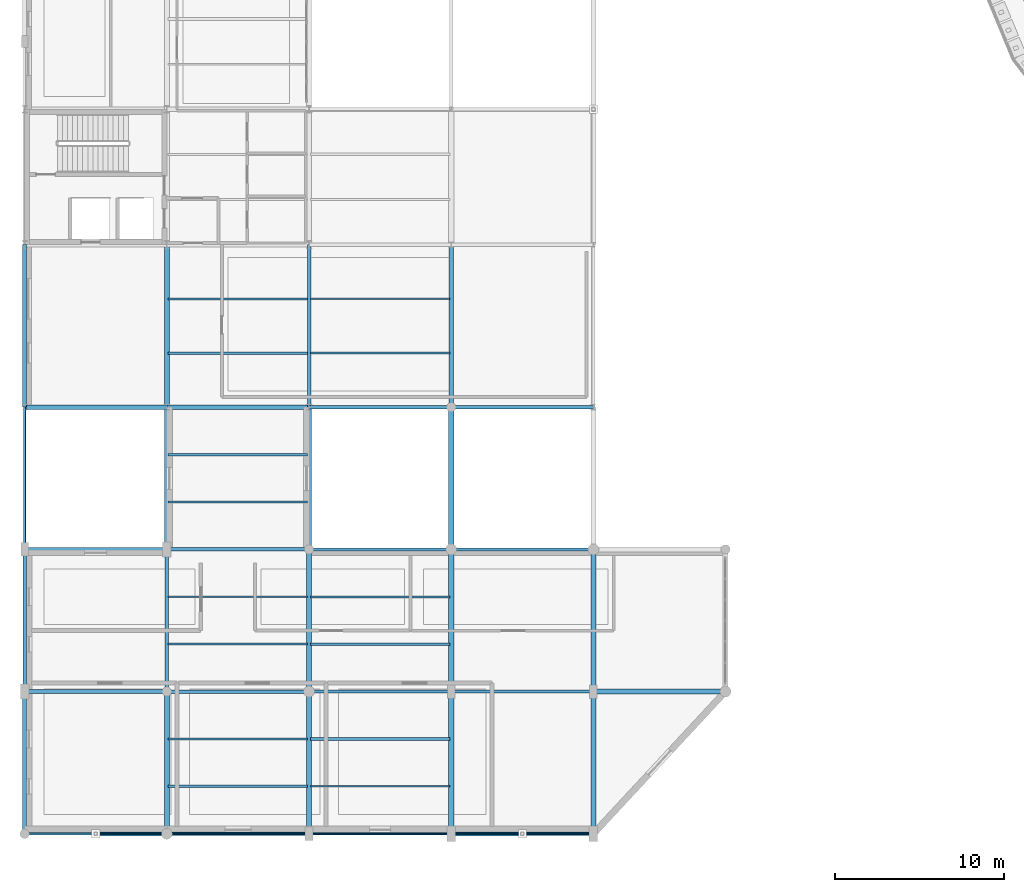
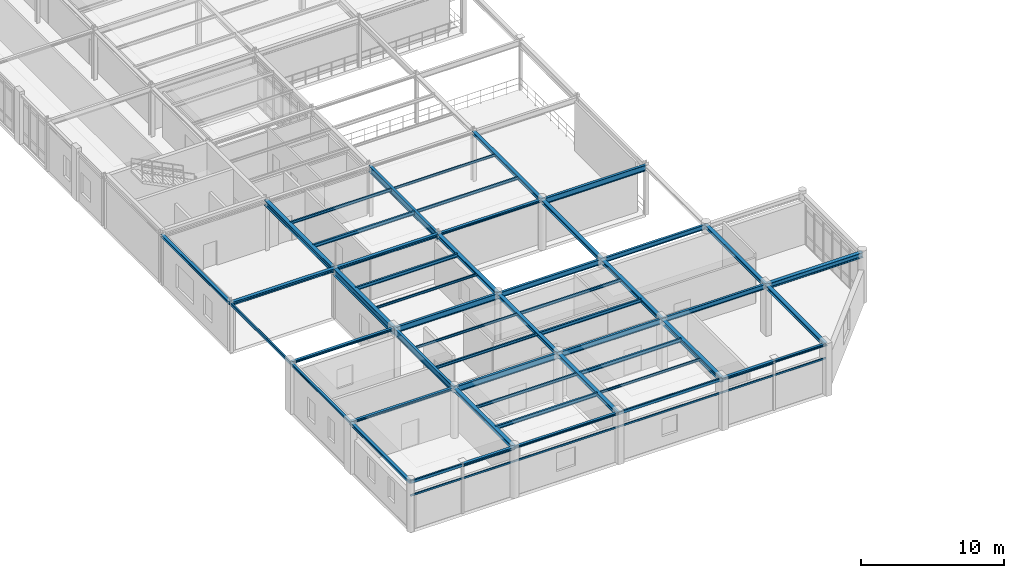
# One storey, part 26 of 106: 55 beams.
"""IFC4 building model written with IfcOpenShell, lengths in metres."""

import ifcopenshell
import ifcopenshell.guid

model = None  # the IFC model being written
_history = None  # IfcOwnerHistory: only IFC2X3 demands one
_inside = {}  # id of a spatial element -> (the spatial element, [elements in it])
_under = {}  # id of a project, library or spatial element -> (it, [spatial elements below it])
_declared = {}  # id of a project -> (the project, [libraries it declares])
_typed = {}  # id of a type object -> (the type object, [elements of that type])
_made_of = {}  # id of a material, layer set ... -> (it, [elements and type objects made of it])


def new_model(schema):
    """Start an empty IFC model of exactly this schema.

    Asked for "IFC4X3", IfcOpenShell would pick the latest addendum, in which some entities
    have other attributes; the version numbers below select the first issue.
    IFC2X3 requires an IfcOwnerHistory on every rooted entity: one is made here for all.
    """
    global model, _history
    if schema == "IFC4X3":
        model = ifcopenshell.file(schema_version=(4, 3, 0, 0))
    else:
        model = ifcopenshell.file(schema=schema)
    _inside.clear()
    _under.clear()
    _declared.clear()
    _typed.clear()
    _made_of.clear()
    _history = None
    if model.schema == "IFC2X3":
        org = make("IfcOrganization", Name="unknown")
        user = make(
            "IfcPersonAndOrganization",
            ThePerson=make("IfcPerson", FamilyName="unknown"),
            TheOrganization=org,
        )
        app = make(
            "IfcApplication",
            ApplicationDeveloper=org,
            Version="unknown",
            ApplicationFullName="unknown",
            ApplicationIdentifier="unknown",
        )
        _history = make(
            "IfcOwnerHistory",
            OwningUser=user,
            OwningApplication=app,
            ChangeAction="ADDED",
            CreationDate=0,
        )
    return model


def make(cls, **values):
    """One entity of the class cls with the attributes given. An attribute that is None is left unset."""
    return model.create_entity(
        cls, **{name: value for name, value in values.items() if value is not None}
    )


def rooted(cls, **values):
    """An entity with a GlobalId (a new one), such as an element, a storey or a relation."""
    return make(cls, GlobalId=ifcopenshell.guid.new(), OwnerHistory=_history, **values)


def si_unit(unit_type, name, prefix=None):
    """IfcSIUnit, for example si_unit("LENGTHUNIT", "METRE", prefix="MILLI")."""
    return make("IfcSIUnit", UnitType=unit_type, Prefix=prefix, Name=name)


def derived_unit(unit_type, elements):
    """IfcDerivedUnit: a product of units, each with its exponent."""
    return make(
        "IfcDerivedUnit",
        Elements=[
            make("IfcDerivedUnitElement", Unit=unit, Exponent=power)
            for unit, power in elements
        ],
        UnitType=unit_type,
    )


def assignment(units):
    """IfcUnitAssignment: the units of a project."""
    return None if units is None else make("IfcUnitAssignment", Units=units)


def point(xyz):
    """IfcCartesianPoint."""
    return None if xyz is None else make("IfcCartesianPoint", Coordinates=xyz)


def direction(xyz):
    """IfcDirection."""
    return None if xyz is None else make("IfcDirection", DirectionRatios=xyz)


def frame(location, z_axis=None, x_axis=None):
    """IfcAxis2Placement3D, a coordinate frame: its origin and axes. An axis left out is left unset."""
    return make(
        "IfcAxis2Placement3D",
        Location=point(location),
        Axis=direction(z_axis),
        RefDirection=direction(x_axis),
    )


def frame_2d(location, x_axis=None):
    """IfcAxis2Placement2D, a coordinate frame in the plane: its origin and x axis."""
    return make(
        "IfcAxis2Placement2D", Location=point(location), RefDirection=direction(x_axis)
    )


def origin():
    """The frame at (0, 0, 0) with its axes left unset."""
    return frame((0.0, 0.0, 0.0))


def origin_2d():
    """The frame at (0, 0) in the plane with its x axis left unset."""
    return frame_2d((0.0, 0.0))


def place(relative_to, where):
    """IfcLocalPlacement: puts the frame where relative to a parent placement (None: the world)."""
    return make(
        "IfcLocalPlacement", PlacementRelTo=relative_to, RelativePlacement=where
    )


def context(
    kind, dimensions, precision=None, world=None, true_north=None, identifier=None
):
    """IfcGeometricRepresentationContext, for example the 3D "Model" context."""
    return make(
        "IfcGeometricRepresentationContext",
        ContextIdentifier=identifier,
        ContextType=kind,
        CoordinateSpaceDimension=dimensions,
        Precision=precision,
        WorldCoordinateSystem=world,
        TrueNorth=true_north,
    )


def subcontext(parent, identifier, kind, view, scale=None):
    """IfcGeometricRepresentationSubContext, for example "Body" below "Model"."""
    return make(
        "IfcGeometricRepresentationSubContext",
        ContextIdentifier=identifier,
        ContextType=kind,
        ParentContext=parent,
        TargetScale=scale,
        TargetView=view,
    )


def project(units=None, contexts=None):
    """IfcProject with its units and contexts."""
    return rooted(
        "IfcProject",
        Name="project",
        RepresentationContexts=contexts,
        UnitsInContext=assignment(units),
    )


def spatial(cls, under=None, at=None, **own):
    """A site, building, storey or space (cls), placed at a placement, below another one or the project."""
    s = rooted(cls, ObjectPlacement=at, **own)
    if under is not None:
        _under.setdefault(under.id(), (under, []))[1].append(s)
    return s


def profile(cls, at=None, kind="AREA", **sizes):
    """A parametric profile (cls). Its sizes go by their IFC names, for example OverallWidth=200.0."""
    return make(cls, ProfileType=kind, Position=at, **sizes)


def hollow_rectangle(**sizes):
    """IfcRectangleHollowProfileDef."""
    return profile("IfcRectangleHollowProfileDef", **sizes)


def i_section(**sizes):
    """IfcIShapeProfileDef."""
    return profile("IfcIShapeProfileDef", **sizes)


def extrude(swept, where, along, depth):
    """IfcExtrudedAreaSolid: the profile swept, set in the frame where, extruded along a direction by depth."""
    return make(
        "IfcExtrudedAreaSolid",
        SweptArea=swept,
        Position=where,
        ExtrudedDirection=direction(along),
        Depth=depth,
    )


def shape(context_of_items, identifier, shape_type, items):
    """IfcShapeRepresentation: the items that make up one representation, for example the "Body"."""
    return make(
        "IfcShapeRepresentation",
        ContextOfItems=context_of_items,
        RepresentationIdentifier=identifier,
        RepresentationType=shape_type,
        Items=items,
    )


def material(Name=None, Category=None):
    """IfcMaterial."""
    return make("IfcMaterial", Name=Name, Category=Category)


def material_profile(
    of_material, cross_section, Name=None, Category=None, Priority=None
):
    """IfcMaterialProfile: a cross section and its material."""
    return make(
        "IfcMaterialProfile",
        Name=Name,
        Material=of_material,
        Profile=cross_section,
        Priority=Priority,
        Category=Category,
    )


def profile_set(profiles, Name=None, composite=None):
    """IfcMaterialProfileSet."""
    return make(
        "IfcMaterialProfileSet",
        Name=Name,
        MaterialProfiles=profiles,
        CompositeProfile=composite,
    )


def made_of(thing, what):
    """Note that an element or type object is made of a material, layer set ...; save() writes the relation."""
    if what is not None:
        _made_of.setdefault(what.id(), (what, []))[1].append(thing)
    return thing


def type_object(cls, material=None, **own):
    """A type object (cls), such as IfcWallType, which elements share."""
    return made_of(rooted(cls, **own), material)


def element(
    cls,
    number,
    at=None,
    inside=None,
    cuts=None,
    type_object=None,
    material=None,
    context=None,
    identifier="Body",
    shape_type=None,
    held_by="IfcProductDefinitionShape",
    body=None,
    shapes=None,
    **own,
):
    """One element of the class cls, such as IfcWall. Its Tag is "e" and its number.

    at: its placement. inside: the storey or other place that contains it. cuts: it is an
    opening in that element (IfcRelVoidsElement). A single representation is given by context,
    identifier, shape_type and body (its items); several are given by shapes. held_by: the class
    of the entity that holds the representations. save() writes the other relations.
    """
    e = rooted(cls, Tag="e%d" % number, ObjectPlacement=at, **own)
    if body is not None:
        shapes = [shape(context, identifier, shape_type, body)]
    if shapes is not None:
        e.Representation = make(held_by, Representations=shapes)
    if inside is not None:
        _inside.setdefault(inside.id(), (inside, []))[1].append(e)
    if cuts is not None:
        rooted(
            "IfcRelVoidsElement", RelatingBuildingElement=cuts, RelatedOpeningElement=e
        )
    if type_object is not None:
        _typed.setdefault(type_object.id(), (type_object, []))[1].append(e)
    return made_of(e, material)


def aggregate(whole, parts):
    """IfcRelAggregates: a whole, such as a stair, and the parts it consists of."""
    return rooted("IfcRelAggregates", RelatingObject=whole, RelatedObjects=parts)


def save(model, path):
    """Write the relations noted so far, then the file.

    IfcRelAggregates (storeys below a building ...), IfcRelContainedInSpatialStructure (elements
    in a storey), IfcRelDefinesByType, IfcRelAssociatesMaterial and IfcRelDeclares: one each for
    every whole, place, type object, material and project.
    """
    for whole, parts in _under.values():
        aggregate(whole, parts)
    for where, things in _inside.values():
        rooted(
            "IfcRelContainedInSpatialStructure",
            RelatedElements=things,
            RelatingStructure=where,
        )
    for kind, things in _typed.values():
        rooted("IfcRelDefinesByType", RelatedObjects=things, RelatingType=kind)
    for what, things in _made_of.values():
        rooted("IfcRelAssociatesMaterial", RelatedObjects=things, RelatingMaterial=what)
    for by, libraries in _declared.values():
        rooted("IfcRelDeclares", RelatingContext=by, RelatedDefinitions=libraries)
    model.write(path)


model = new_model("IFC4")

# Units and contexts
model_context = context("Model", 3, precision=1e-05, world=origin(), true_north=direction((0.0, 1.0)))
body_context = subcontext(model_context, "Body", "Model", "MODEL_VIEW")
ifc_project = project(units=[si_unit("LENGTHUNIT", "METRE"), si_unit("AREAUNIT", "SQUARE_METRE"), si_unit("VOLUMEUNIT", "CUBIC_METRE"), si_unit("PLANEANGLEUNIT", "RADIAN"), si_unit("MASSUNIT", "GRAM", prefix="KILO"), derived_unit("THERMALTRANSMITTANCEUNIT", [(si_unit("POWERUNIT", "WATT"), 1), (si_unit("AREAUNIT", "SQUARE_METRE"), -1), (si_unit("THERMODYNAMICTEMPERATUREUNIT", "KELVIN"), -1)])], contexts=[model_context])

# Site, building, storey
site_placement = place(None, origin())
site = spatial("IfcSite", under=ifc_project, at=site_placement, CompositionType="ELEMENT")
building_placement = place(site_placement, origin())
building = spatial("IfcBuilding", under=site, at=building_placement, Name="Yasenodar Specialist Clinic", CompositionType="ELEMENT")
storey_placement = place(building_placement, frame((0.0, 0.0, 4.5)))
storey = spatial("IfcBuildingStorey", under=building, at=storey_placement, Name="L01", CompositionType="ELEMENT", Elevation=4.5)

# Beams
ifc_material = material(Name="Steel S355", Category="steel")
ifc_material_profile_1 = material_profile(ifc_material, i_section(OverallWidth=0.219970703125, OverallDepth=0.2099609375, WebThickness=0.007080078125, FlangeThickness=0.010986328125, FilletRadius=0.01806640625, at=origin_2d()), Name="HEA 220")
ifc_profile_set_1 = profile_set([ifc_material_profile_1], Name="Steel S355")
beam_type_1 = type_object("IfcBeamType", Name="BM-HEA220", PredefinedType="BEAM", material=ifc_profile_set_1)
for number, where, z_axis, x_axis, name in (
    (1, (0.0, 8.39990234375, 4.14501953125), (1.0, 0.0, 0.0), (0.0, 1.0, 0.0), "L01 Primary E-W Girder"),
    (2, (0.0, 16.800048828125, 4.14501953125), (1.0, 0.0, 0.0), (0.0, 1.0, 0.0), "L01 Primary E-W Girder"),
    (3, (16.800048828125, 25.199951171875, 4.14501953125), (1.0, 0.0, 0.0), (0.0, 1.0, 0.0), "L01 Primary E-W Girder"),
):
    element("IfcBeam", number, at=place(storey_placement, frame(where, z_axis=z_axis, x_axis=x_axis)), inside=storey, type_object=beam_type_1, Name=name, PredefinedType="BEAM", context=body_context, shape_type="SweptSolid", body=[
        extrude(i_section(OverallWidth=0.219970703125, OverallDepth=0.2099609375, WebThickness=0.007080078125, FlangeThickness=0.010986328125, FilletRadius=0.01806640625, at=origin_2d()), origin(), (0.0, 0.0, 1.0), 8.39990234375),
    ])
ifc_material_profile_2 = material_profile(ifc_material, i_section(OverallWidth=0.260009765625, OverallDepth=0.25, WebThickness=0.007568359375, FlangeThickness=0.012451171875, FilletRadius=0.02392578125, at=origin_2d()), Name="HEA 260")
ifc_profile_set_2 = profile_set([ifc_material_profile_2], Name="Steel S355")
beam_type_2 = type_object("IfcBeamType", Name="BM-HEA260", PredefinedType="BEAM", material=ifc_profile_set_2)
beam_1_placement = place(storey_placement, frame((8.39990234375, 25.199951171875, 4.125), z_axis=(1.0, 0.0, 0.0), x_axis=(0.0, 1.0, 0.0)))
element("IfcBeam", 4, at=beam_1_placement, inside=storey, type_object=beam_type_2, Name="L01 Primary E-W Girder", PredefinedType="BEAM", context=body_context, shape_type="SweptSolid", body=[
    extrude(i_section(OverallWidth=0.260009765625, OverallDepth=0.25, WebThickness=0.007568359375, FlangeThickness=0.012451171875, FilletRadius=0.02392578125, at=origin_2d()), origin(), (0.0, 0.0, 1.0), 8.400146484375),
])
ifc_material_profile_3 = material_profile(ifc_material, i_section(OverallWidth=0.280029296875, OverallDepth=0.27001953125, WebThickness=0.008056640625, FlangeThickness=0.012939453125, FilletRadius=0.02392578125, at=origin_2d()), Name="HEA 280")
ifc_profile_set_3 = profile_set([ifc_material_profile_3], Name="Steel S355")
beam_type_3 = type_object("IfcBeamType", Name="BM-HEA280", PredefinedType="BEAM", material=ifc_profile_set_3)
beam_2_placement = place(storey_placement, frame((0.0, 25.199951171875, 4.114990234375), z_axis=(1.0, 0.0, 0.0), x_axis=(0.0, 1.0, 0.0)))
element("IfcBeam", 5, at=beam_2_placement, inside=storey, type_object=beam_type_3, Name="L01 Primary E-W Girder", PredefinedType="BEAM", context=body_context, shape_type="SweptSolid", body=[
    extrude(i_section(OverallWidth=0.280029296875, OverallDepth=0.27001953125, WebThickness=0.008056640625, FlangeThickness=0.012939453125, FilletRadius=0.02392578125, at=origin_2d()), origin(), (0.0, 0.0, 1.0), 8.39990234375),
])
ifc_material_profile_4 = material_profile(ifc_material, i_section(OverallWidth=0.300048828125, OverallDepth=0.2900390625, WebThickness=0.008544921875, FlangeThickness=0.013916015625, FilletRadius=0.027099609375, at=origin_2d()), Name="HEA 300")
ifc_profile_set_4 = profile_set([ifc_material_profile_4], Name="Steel S355")
beam_type_4 = type_object("IfcBeamType", Name="BM-HEA300", PredefinedType="BEAM", material=ifc_profile_set_4)
for number, where, z_axis, x_axis, name in (
    (6, (8.39990234375, 0.0, 4.10498046875), (0.0, 1.0, 0.0), (-1.0, 0.0, 0.0), "L01 Primary N-S Girder"),
    (7, (16.800048828125, 16.800048828125, 4.10498046875), (0.0, 1.0, 0.0), (-1.0, 0.0, 0.0), "L01 Primary N-S Girder"),
):
    element("IfcBeam", number, at=place(storey_placement, frame(where, z_axis=z_axis, x_axis=x_axis)), inside=storey, type_object=beam_type_4, Name=name, PredefinedType="BEAM", context=body_context, shape_type="SweptSolid", body=[
        extrude(i_section(OverallWidth=0.300048828125, OverallDepth=0.2900390625, WebThickness=0.008544921875, FlangeThickness=0.013916015625, FilletRadius=0.027099609375, at=origin_2d()), origin(), (0.0, 0.0, 1.0), 8.39990234375),
    ])
ifc_material_profile_5 = material_profile(ifc_material, i_section(OverallWidth=0.300048828125, OverallDepth=0.43994140625, WebThickness=0.011474609375, FlangeThickness=0.02099609375, FilletRadius=0.027099609375, at=origin_2d()), Name="HEA 450")
ifc_profile_set_5 = profile_set([ifc_material_profile_5], Name="Steel S355")
beam_type_5 = type_object("IfcBeamType", Name="BM-HEA450", PredefinedType="BEAM", material=ifc_profile_set_5)
beam_3_placement = place(storey_placement, frame((33.60009765625, 8.39990234375, 4.030029296875), z_axis=(1.0, 0.0, 0.0), x_axis=(0.0, 1.0, 0.0)))
element("IfcBeam", 8, at=beam_3_placement, inside=storey, type_object=beam_type_5, Name="L01 Primary E-W Girder", PredefinedType="BEAM", context=body_context, shape_type="SweptSolid", body=[
    extrude(i_section(OverallWidth=0.300048828125, OverallDepth=0.43994140625, WebThickness=0.011474609375, FlangeThickness=0.02099609375, FilletRadius=0.027099609375, at=origin_2d()), origin(), (0.0, 0.0, 1.0), 7.7998046875),
])
ifc_material_profile_6 = material_profile(ifc_material, i_section(OverallWidth=0.280029296875, OverallDepth=0.280029296875, WebThickness=0.010498046875, FlangeThickness=0.01806640625, FilletRadius=0.02392578125, at=origin_2d()), Name="HEB 280")
ifc_profile_set_6 = profile_set([ifc_material_profile_6], Name="Steel S355")
beam_type_6 = type_object("IfcBeamType", Name="BM-HEB280", PredefinedType="BEAM", material=ifc_profile_set_6)
beam_4_placement = place(storey_placement, frame((16.800048828125, 8.39990234375, 4.110107421875), z_axis=(0.0, 1.0, 0.0), x_axis=(-1.0, 0.0, 0.0)))
element("IfcBeam", 9, at=beam_4_placement, inside=storey, type_object=beam_type_6, Name="L01 Primary N-S Girder", PredefinedType="BEAM", context=body_context, shape_type="SweptSolid", body=[
    extrude(i_section(OverallWidth=0.280029296875, OverallDepth=0.280029296875, WebThickness=0.010498046875, FlangeThickness=0.01806640625, FilletRadius=0.02392578125, at=origin_2d()), origin(), (0.0, 0.0, 1.0), 8.400146484375),
])
beam_5_placement = place(storey_placement, frame((25.199951171875, 25.199951171875, 4.110107421875), z_axis=(0.0, 1.0, 0.0), x_axis=(-1.0, 0.0, 0.0)))
element("IfcBeam", 10, at=beam_5_placement, inside=storey, type_object=beam_type_6, Name="L01 Primary N-S Girder", PredefinedType="BEAM", context=body_context, shape_type="SweptSolid", body=[
    extrude(i_section(OverallWidth=0.280029296875, OverallDepth=0.280029296875, WebThickness=0.010498046875, FlangeThickness=0.01806640625, FilletRadius=0.02392578125, at=origin_2d()), origin(), (0.0, 0.0, 1.0), 9.60009765625),
])
beam_6_placement = place(storey_placement, frame((33.60009765625, 8.39990234375, 4.110107421875), z_axis=(0.0, 1.0, 0.0), x_axis=(-1.0, 0.0, 0.0)))
element("IfcBeam", 11, at=beam_6_placement, inside=storey, type_object=beam_type_6, Name="L01 Primary N-S Girder", PredefinedType="BEAM", context=body_context, shape_type="SweptSolid", body=[
    extrude(i_section(OverallWidth=0.280029296875, OverallDepth=0.280029296875, WebThickness=0.010498046875, FlangeThickness=0.01806640625, FilletRadius=0.02392578125, at=origin_2d()), origin(), (0.0, 0.0, 1.0), 8.400146484375),
])
ifc_material_profile_7 = material_profile(ifc_material, i_section(OverallWidth=0.300048828125, OverallDepth=0.300048828125, WebThickness=0.010986328125, FlangeThickness=0.01904296875, FilletRadius=0.027099609375, at=origin_2d()), Name="HEB 300")
ifc_profile_set_7 = profile_set([ifc_material_profile_7], Name="Steel S355")
beam_type_7 = type_object("IfcBeamType", Name="BM-HEB300", PredefinedType="BEAM", material=ifc_profile_set_7)
for number, where, z_axis, x_axis, name in (
    (12, (16.800048828125, 0.0, 4.10009765625), (0.0, 1.0, 0.0), (-1.0, 0.0, 0.0), "L01 Primary N-S Girder"),
    (13, (25.199951171875, 16.800048828125, 4.10009765625), (0.0, 1.0, 0.0), (-1.0, 0.0, 0.0), "L01 Primary N-S Girder"),
    (14, (33.60009765625, 0.0, 4.10009765625), (0.0, 1.0, 0.0), (-1.0, 0.0, 0.0), "L01 Primary N-S Girder"),
):
    element("IfcBeam", number, at=place(storey_placement, frame(where, z_axis=z_axis, x_axis=x_axis)), inside=storey, type_object=beam_type_7, Name=name, PredefinedType="BEAM", context=body_context, shape_type="SweptSolid", body=[
        extrude(i_section(OverallWidth=0.300048828125, OverallDepth=0.300048828125, WebThickness=0.010986328125, FlangeThickness=0.01904296875, FilletRadius=0.027099609375, at=origin_2d()), origin(), (0.0, 0.0, 1.0), 8.39990234375),
    ])
ifc_material_profile_8 = material_profile(ifc_material, i_section(OverallWidth=0.300048828125, OverallDepth=0.340087890625, WebThickness=0.011962890625, FlangeThickness=0.021484375, FilletRadius=0.027099609375, at=origin_2d()), Name="HEB 340")
ifc_profile_set_8 = profile_set([ifc_material_profile_8], Name="Steel S355")
beam_type_8 = type_object("IfcBeamType", Name="BM-HEB340", PredefinedType="BEAM", material=ifc_profile_set_8)
beam_7_placement = place(storey_placement, frame((25.199951171875, 8.39990234375, 4.080078125), z_axis=(0.0, 1.0, 0.0), x_axis=(-1.0, 0.0, 0.0)))
element("IfcBeam", 15, at=beam_7_placement, inside=storey, type_object=beam_type_8, Name="L01 Primary N-S Girder", PredefinedType="BEAM", context=body_context, shape_type="SweptSolid", body=[
    extrude(i_section(OverallWidth=0.300048828125, OverallDepth=0.340087890625, WebThickness=0.011962890625, FlangeThickness=0.021484375, FilletRadius=0.027099609375, at=origin_2d()), origin(), (0.0, 0.0, 1.0), 8.400146484375),
])
ifc_material_profile_9 = material_profile(ifc_material, i_section(OverallWidth=0.300048828125, OverallDepth=0.39990234375, WebThickness=0.013427734375, FlangeThickness=0.02392578125, FilletRadius=0.027099609375, at=origin_2d()), Name="HEB 400")
ifc_profile_set_9 = profile_set([ifc_material_profile_9], Name="Steel S355")
beam_type_9 = type_object("IfcBeamType", Name="BM-HEB400", PredefinedType="BEAM", material=ifc_profile_set_9)
beam_8_placement = place(storey_placement, frame((25.199951171875, 0.0, 4.050048828125), z_axis=(0.0, 1.0, 0.0), x_axis=(-1.0, 0.0, 0.0)))
element("IfcBeam", 16, at=beam_8_placement, inside=storey, type_object=beam_type_9, Name="L01 Primary N-S Girder", PredefinedType="BEAM", context=body_context, shape_type="SweptSolid", body=[
    extrude(i_section(OverallWidth=0.300048828125, OverallDepth=0.39990234375, WebThickness=0.013427734375, FlangeThickness=0.02392578125, FilletRadius=0.027099609375, at=origin_2d()), origin(), (0.0, 0.0, 1.0), 8.39990234375),
])
ifc_material_profile_10 = material_profile(ifc_material, i_section(OverallWidth=0.300048828125, OverallDepth=0.449951171875, WebThickness=0.013916015625, FlangeThickness=0.02587890625, FilletRadius=0.027099609375, at=origin_2d()), Name="HEB 450")
ifc_profile_set_10 = profile_set([ifc_material_profile_10], Name="Steel S355")
beam_type_10 = type_object("IfcBeamType", Name="BM-HEB450", PredefinedType="BEAM", material=ifc_profile_set_10)
beam_9_placement = place(storey_placement, frame((8.39990234375, 25.199951171875, 4.02490234375), z_axis=(0.0, 1.0, 0.0), x_axis=(-1.0, 0.0, 0.0)))
element("IfcBeam", 17, at=beam_9_placement, inside=storey, type_object=beam_type_10, Name="L01 Primary N-S Girder", PredefinedType="BEAM", context=body_context, shape_type="SweptSolid", body=[
    extrude(i_section(OverallWidth=0.300048828125, OverallDepth=0.449951171875, WebThickness=0.013916015625, FlangeThickness=0.02587890625, FilletRadius=0.027099609375, at=origin_2d()), origin(), (0.0, 0.0, 1.0), 9.60009765625),
])
ifc_material_profile_11 = material_profile(ifc_material, i_section(OverallWidth=0.300048828125, OverallDepth=0.60009765625, WebThickness=0.015380859375, FlangeThickness=0.030029296875, FilletRadius=0.027099609375, at=origin_2d()), Name="HEB 600")
ifc_profile_set_11 = profile_set([ifc_material_profile_11], Name="Steel S355")
beam_type_11 = type_object("IfcBeamType", Name="BM-HEB600", PredefinedType="BEAM", material=ifc_profile_set_11)
beam_10_placement = place(storey_placement, frame((8.39990234375, 16.800048828125, 3.949951171875), z_axis=(0.0, 1.0, 0.0), x_axis=(-1.0, 0.0, 0.0)))
element("IfcBeam", 18, at=beam_10_placement, inside=storey, type_object=beam_type_11, Name="L01 Primary N-S Girder", PredefinedType="BEAM", context=body_context, shape_type="SweptSolid", body=[
    extrude(i_section(OverallWidth=0.300048828125, OverallDepth=0.60009765625, WebThickness=0.015380859375, FlangeThickness=0.030029296875, FilletRadius=0.027099609375, at=origin_2d()), origin(), (0.0, 0.0, 1.0), 8.39990234375),
])
ifc_material_profile_12 = material_profile(ifc_material, i_section(OverallWidth=0.179931640625, OverallDepth=0.39990234375, WebThickness=0.008544921875, FlangeThickness=0.013427734375, FilletRadius=0.02099609375, at=origin_2d()), Name="IPE 400")
ifc_profile_set_12 = profile_set([ifc_material_profile_12], Name="Steel S355")
beam_type_12 = type_object("IfcBeamType", Name="BM-IPE400", PredefinedType="BEAM", material=ifc_profile_set_12)
for number, where, z_axis, x_axis, name in (
    (19, (25.199951171875, 8.39990234375, 4.050048828125), (1.0, 0.0, 0.0), (0.0, 1.0, 0.0), "L01 Primary E-W Girder"),
    (20, (25.199951171875, 16.800048828125, 4.050048828125), (1.0, 0.0, 0.0), (0.0, 1.0, 0.0), "L01 Primary E-W Girder"),
):
    element("IfcBeam", number, at=place(storey_placement, frame(where, z_axis=z_axis, x_axis=x_axis)), inside=storey, type_object=beam_type_12, Name=name, PredefinedType="BEAM", context=body_context, shape_type="SweptSolid", body=[
        extrude(i_section(OverallWidth=0.179931640625, OverallDepth=0.39990234375, WebThickness=0.008544921875, FlangeThickness=0.013427734375, FilletRadius=0.02099609375, at=origin_2d()), origin(), (0.0, 0.0, 1.0), 8.400146484375),
    ])
ifc_material_profile_13 = material_profile(ifc_material, i_section(OverallWidth=0.18994140625, OverallDepth=0.449951171875, WebThickness=0.009521484375, FlangeThickness=0.0146484375, FilletRadius=0.02099609375, at=origin_2d()), Name="IPE 450")
ifc_profile_set_13 = profile_set([ifc_material_profile_13], Name="Steel S355")
beam_type_13 = type_object("IfcBeamType", Name="BM-IPE450", PredefinedType="BEAM", material=ifc_profile_set_13)
for number, where, z_axis, x_axis, name in (
    (21, (16.800048828125, 8.39990234375, 4.02490234375), (1.0, 0.0, 0.0), (0.0, 1.0, 0.0), "L01 Primary E-W Girder"),
    (22, (16.800048828125, 16.800048828125, 4.02490234375), (1.0, 0.0, 0.0), (0.0, 1.0, 0.0), "L01 Primary E-W Girder"),
):
    element("IfcBeam", number, at=place(storey_placement, frame(where, z_axis=z_axis, x_axis=x_axis)), inside=storey, type_object=beam_type_13, Name=name, PredefinedType="BEAM", context=body_context, shape_type="SweptSolid", body=[
        extrude(i_section(OverallWidth=0.18994140625, OverallDepth=0.449951171875, WebThickness=0.009521484375, FlangeThickness=0.0146484375, FilletRadius=0.02099609375, at=origin_2d()), origin(), (0.0, 0.0, 1.0), 8.39990234375),
    ])
ifc_material_profile_14 = material_profile(ifc_material, i_section(OverallWidth=0.199951171875, OverallDepth=0.5, WebThickness=0.01025390625, FlangeThickness=0.01611328125, FilletRadius=0.02099609375, at=origin_2d()), Name="IPE 500")
ifc_profile_set_14 = profile_set([ifc_material_profile_14], Name="Steel S355")
beam_type_14 = type_object("IfcBeamType", Name="BM-IPE500", PredefinedType="BEAM", material=ifc_profile_set_14)
for number, where, z_axis, x_axis, name in (
    (23, (8.39990234375, 8.39990234375, 4.0), (1.0, 0.0, 0.0), (0.0, 1.0, 0.0), "L01 Primary E-W Girder"),
    (24, (8.39990234375, 16.800048828125, 4.0), (1.0, 0.0, 0.0), (0.0, 1.0, 0.0), "L01 Primary E-W Girder"),
    (25, (25.199951171875, 25.199951171875, 4.0), (1.0, 0.0, 0.0), (0.0, 1.0, 0.0), "L01 Primary E-W Girder"),
):
    element("IfcBeam", number, at=place(storey_placement, frame(where, z_axis=z_axis, x_axis=x_axis)), inside=storey, type_object=beam_type_14, Name=name, PredefinedType="BEAM", context=body_context, shape_type="SweptSolid", body=[
        extrude(i_section(OverallWidth=0.199951171875, OverallDepth=0.5, WebThickness=0.01025390625, FlangeThickness=0.01611328125, FilletRadius=0.02099609375, at=origin_2d()), origin(), (0.0, 0.0, 1.0), 8.400146484375),
    ])
ifc_material_profile_15 = material_profile(ifc_material, i_section(OverallWidth=0.2099609375, OverallDepth=0.550048828125, WebThickness=0.010986328125, FlangeThickness=0.01708984375, FilletRadius=0.02392578125, at=origin_2d()), Name="IPE 550")
ifc_profile_set_15 = profile_set([ifc_material_profile_15], Name="Steel S355")
beam_type_15 = type_object("IfcBeamType", Name="BM-IPE550", PredefinedType="BEAM", material=ifc_profile_set_15)
beam_11_placement = place(storey_placement, frame((8.39990234375, 8.39990234375, 3.97509765625), z_axis=(0.0, 1.0, 0.0), x_axis=(-1.0, 0.0, 0.0)))
element("IfcBeam", 26, at=beam_11_placement, inside=storey, type_object=beam_type_15, Name="L01 Primary N-S Girder", PredefinedType="BEAM", context=body_context, shape_type="SweptSolid", body=[
    extrude(i_section(OverallWidth=0.2099609375, OverallDepth=0.550048828125, WebThickness=0.010986328125, FlangeThickness=0.01708984375, FilletRadius=0.02392578125, at=origin_2d()), origin(), (0.0, 0.0, 1.0), 8.400146484375),
])
beam_12_placement = place(storey_placement, frame((16.800048828125, 25.199951171875, 3.97509765625), z_axis=(0.0, 1.0, 0.0), x_axis=(-1.0, 0.0, 0.0)))
element("IfcBeam", 27, at=beam_12_placement, inside=storey, type_object=beam_type_15, Name="L01 Primary N-S Girder", PredefinedType="BEAM", context=body_context, shape_type="SweptSolid", body=[
    extrude(i_section(OverallWidth=0.2099609375, OverallDepth=0.550048828125, WebThickness=0.010986328125, FlangeThickness=0.01708984375, FilletRadius=0.02392578125, at=origin_2d()), origin(), (0.0, 0.0, 1.0), 9.60009765625),
])
ifc_material_profile_16 = material_profile(ifc_material, i_section(OverallWidth=0.10009765625, OverallDepth=0.199951171875, WebThickness=0.005615234375, FlangeThickness=0.008544921875, FilletRadius=0.011962890625, at=origin_2d()), Name="IPE 200")
ifc_profile_set_16 = profile_set([ifc_material_profile_16], Name="Steel S355")
beam_type_16 = type_object("IfcBeamType", Name="JS-IPE200", PredefinedType="JOIST", material=ifc_profile_set_16)
for number, where, z_axis, x_axis, name in (
    (28, (8.47998046875, 14.0, 4.14990234375), (1.0, 0.0, 0.0), (0.0, 1.0, 0.0), "L01 Composite Floor Joist"),
    (29, (8.47998046875, 19.60009765625, 4.14990234375), (1.0, 0.0, 0.0), (0.0, 1.0, 0.0), "L01 Composite Floor Joist"),
):
    element("IfcBeam", number, at=place(storey_placement, frame(where, z_axis=z_axis, x_axis=x_axis)), inside=storey, type_object=beam_type_16, Name=name, PredefinedType="JOIST", context=body_context, shape_type="SweptSolid", body=[
        extrude(i_section(OverallWidth=0.10009765625, OverallDepth=0.199951171875, WebThickness=0.005615234375, FlangeThickness=0.008544921875, FilletRadius=0.011962890625, at=origin_2d()), origin(), (0.0, 0.0, 1.0), 8.239990234375),
    ])
for number, where, z_axis, x_axis, name in (
    (30, (16.8798828125, 2.800048828125, 4.14990234375), (1.0, 0.0, 0.0), (0.0, 1.0, 0.0), "L01 Composite Floor Joist"),
    (31, (16.8798828125, 31.60009765625, 4.14990234375), (1.0, 0.0, 0.0), (0.0, 1.0, 0.0), "L01 Composite Floor Joist"),
):
    element("IfcBeam", number, at=place(storey_placement, frame(where, z_axis=z_axis, x_axis=x_axis)), inside=storey, type_object=beam_type_16, Name=name, PredefinedType="JOIST", context=body_context, shape_type="SweptSolid", body=[
        extrude(i_section(OverallWidth=0.10009765625, OverallDepth=0.199951171875, WebThickness=0.005615234375, FlangeThickness=0.008544921875, FilletRadius=0.011962890625, at=origin_2d()), origin(), (0.0, 0.0, 1.0), 8.240234375),
    ])
ifc_material_profile_17 = material_profile(ifc_material, i_section(OverallWidth=0.1201171875, OverallDepth=0.239990234375, WebThickness=0.006103515625, FlangeThickness=0.009765625, FilletRadius=0.014892578125, at=origin_2d()), Name="IPE 240")
ifc_profile_set_17 = profile_set([ifc_material_profile_17], Name="Steel S355")
beam_type_17 = type_object("IfcBeamType", Name="JS-IPE240", PredefinedType="JOIST", material=ifc_profile_set_17)
for number, where, z_axis, x_axis, name in (
    (32, (8.47998046875, 5.60009765625, 4.1298828125), (1.0, 0.0, 0.0), (0.0, 1.0, 0.0), "L01 Composite Floor Joist"),
    (33, (8.47998046875, 11.199951171875, 4.1298828125), (1.0, 0.0, 0.0), (0.0, 1.0, 0.0), "L01 Composite Floor Joist"),
    (34, (8.47998046875, 31.60009765625, 4.1298828125), (1.0, 0.0, 0.0), (0.0, 1.0, 0.0), "L01 Composite Floor Joist"),
):
    element("IfcBeam", number, at=place(storey_placement, frame(where, z_axis=z_axis, x_axis=x_axis)), inside=storey, type_object=beam_type_17, Name=name, PredefinedType="JOIST", context=body_context, shape_type="SweptSolid", body=[
        extrude(i_section(OverallWidth=0.1201171875, OverallDepth=0.239990234375, WebThickness=0.006103515625, FlangeThickness=0.009765625, FilletRadius=0.014892578125, at=origin_2d()), origin(), (0.0, 0.0, 1.0), 8.239990234375),
    ])
for number, where, z_axis, x_axis, name in (
    (35, (16.8798828125, 14.0, 4.1298828125), (1.0, 0.0, 0.0), (0.0, 1.0, 0.0), "L01 Composite Floor Joist"),
    (36, (16.8798828125, 28.39990234375, 4.1298828125), (1.0, 0.0, 0.0), (0.0, 1.0, 0.0), "L01 Composite Floor Joist"),
):
    element("IfcBeam", number, at=place(storey_placement, frame(where, z_axis=z_axis, x_axis=x_axis)), inside=storey, type_object=beam_type_17, Name=name, PredefinedType="JOIST", context=body_context, shape_type="SweptSolid", body=[
        extrude(i_section(OverallWidth=0.1201171875, OverallDepth=0.239990234375, WebThickness=0.006103515625, FlangeThickness=0.009765625, FilletRadius=0.014892578125, at=origin_2d()), origin(), (0.0, 0.0, 1.0), 8.240234375),
    ])
ifc_material_profile_18 = material_profile(ifc_material, i_section(OverallWidth=0.14990234375, OverallDepth=0.300048828125, WebThickness=0.007080078125, FlangeThickness=0.0107421875, FilletRadius=0.014892578125, at=origin_2d()), Name="IPE 300")
ifc_profile_set_18 = profile_set([ifc_material_profile_18], Name="Steel S355")
beam_type_18 = type_object("IfcBeamType", Name="JS-IPE300", PredefinedType="JOIST", material=ifc_profile_set_18)
for number, where, z_axis, x_axis, name in (
    (37, (8.47998046875, 2.800048828125, 4.10009765625), (1.0, 0.0, 0.0), (0.0, 1.0, 0.0), "L01 Composite Floor Joist"),
    (38, (8.47998046875, 22.39990234375, 4.10009765625), (1.0, 0.0, 0.0), (0.0, 1.0, 0.0), "L01 Composite Floor Joist"),
    (39, (8.47998046875, 28.39990234375, 4.10009765625), (1.0, 0.0, 0.0), (0.0, 1.0, 0.0), "L01 Composite Floor Joist"),
):
    element("IfcBeam", number, at=place(storey_placement, frame(where, z_axis=z_axis, x_axis=x_axis)), inside=storey, type_object=beam_type_18, Name=name, PredefinedType="JOIST", context=body_context, shape_type="SweptSolid", body=[
        extrude(i_section(OverallWidth=0.14990234375, OverallDepth=0.300048828125, WebThickness=0.007080078125, FlangeThickness=0.0107421875, FilletRadius=0.014892578125, at=origin_2d()), origin(), (0.0, 0.0, 1.0), 8.239990234375),
    ])
for number, where, z_axis, x_axis, name in (
    (40, (16.8798828125, 5.60009765625, 4.10009765625), (1.0, 0.0, 0.0), (0.0, 1.0, 0.0), "L01 Composite Floor Joist"),
    (41, (16.8798828125, 11.199951171875, 4.10009765625), (1.0, 0.0, 0.0), (0.0, 1.0, 0.0), "L01 Composite Floor Joist"),
):
    element("IfcBeam", number, at=place(storey_placement, frame(where, z_axis=z_axis, x_axis=x_axis)), inside=storey, type_object=beam_type_18, Name=name, PredefinedType="JOIST", context=body_context, shape_type="SweptSolid", body=[
        extrude(i_section(OverallWidth=0.14990234375, OverallDepth=0.300048828125, WebThickness=0.007080078125, FlangeThickness=0.0107421875, FilletRadius=0.014892578125, at=origin_2d()), origin(), (0.0, 0.0, 1.0), 8.240234375),
    ])
ifc_material_profile_19 = material_profile(ifc_material, hollow_rectangle(XDim=0.080078125, YDim=0.159912109375, WallThickness=0.00634765625, InnerFilletRadius=0.009521484375, OuterFilletRadius=0.015869140625, at=origin_2d()), Name="RHS 160x80x6.3")
ifc_profile_set_19 = profile_set([ifc_material_profile_19], Name="Steel S355")
beam_type_19 = type_object("IfcBeamType", Name="LN-RHS160", PredefinedType="LINTEL", material=ifc_profile_set_19)
beam_13_placement = place(storey_placement, frame((0.0, 0.0, 2.969970703125), z_axis=(1.0, 0.0, 0.0), x_axis=(0.0, 1.0, 0.0)))
element("IfcBeam", 42, at=beam_13_placement, inside=storey, type_object=beam_type_19, Name="L01 Structural Opening Lintel", PredefinedType="LINTEL", context=body_context, shape_type="SweptSolid", body=[
    extrude(hollow_rectangle(XDim=0.080078125, YDim=0.159912109375, WallThickness=0.00634765625, InnerFilletRadius=0.009521484375, OuterFilletRadius=0.015869140625, at=origin_2d()), origin(), (0.0, 0.0, 1.0), 8.39990234375),
])
beam_14_placement = place(storey_placement, frame((8.39990234375, 0.0, 2.969970703125), z_axis=(1.0, 0.0, 0.0), x_axis=(0.0, 1.0, 0.0)))
element("IfcBeam", 43, at=beam_14_placement, inside=storey, type_object=beam_type_19, Name="L01 Structural Opening Lintel", PredefinedType="LINTEL", context=body_context, shape_type="SweptSolid", body=[
    extrude(hollow_rectangle(XDim=0.080078125, YDim=0.159912109375, WallThickness=0.00634765625, InnerFilletRadius=0.009521484375, OuterFilletRadius=0.015869140625, at=origin_2d()), origin(), (0.0, 0.0, 1.0), 8.400146484375),
])
beam_15_placement = place(storey_placement, frame((16.800048828125, 0.0, 2.969970703125), z_axis=(1.0, 0.0, 0.0), x_axis=(0.0, 1.0, 0.0)))
element("IfcBeam", 44, at=beam_15_placement, inside=storey, type_object=beam_type_19, Name="L01 Structural Opening Lintel", PredefinedType="LINTEL", context=body_context, shape_type="SweptSolid", body=[
    extrude(hollow_rectangle(XDim=0.080078125, YDim=0.159912109375, WallThickness=0.00634765625, InnerFilletRadius=0.009521484375, OuterFilletRadius=0.015869140625, at=origin_2d()), origin(), (0.0, 0.0, 1.0), 8.39990234375),
])
beam_16_placement = place(storey_placement, frame((25.199951171875, 0.0, 2.969970703125), z_axis=(1.0, 0.0, 0.0), x_axis=(0.0, 1.0, 0.0)))
element("IfcBeam", 45, at=beam_16_placement, inside=storey, type_object=beam_type_19, Name="L01 Structural Opening Lintel", PredefinedType="LINTEL", context=body_context, shape_type="SweptSolid", body=[
    extrude(hollow_rectangle(XDim=0.080078125, YDim=0.159912109375, WallThickness=0.00634765625, InnerFilletRadius=0.009521484375, OuterFilletRadius=0.015869140625, at=origin_2d()), origin(), (0.0, 0.0, 1.0), 8.400146484375),
])
ifc_material_profile_20 = material_profile(ifc_material, i_section(OverallWidth=0.199951171875, OverallDepth=0.18994140625, WebThickness=0.006591796875, FlangeThickness=0.010009765625, FilletRadius=0.01806640625, at=origin_2d()), Name="HEA 200")
ifc_profile_set_20 = profile_set([ifc_material_profile_20], Name="Steel S355")
beam_type_20 = type_object("IfcBeamType", Name="SP-HEA200", PredefinedType="SPANDREL", material=ifc_profile_set_20)
beam_17_placement = place(storey_placement, frame((8.39990234375, 0.0, 4.155029296875), z_axis=(1.0, 0.0, 0.0), x_axis=(0.0, 1.0, 0.0)))
element("IfcBeam", 46, at=beam_17_placement, inside=storey, type_object=beam_type_20, Name="L01 Perimeter Spandrel Beam", PredefinedType="SPANDREL", context=body_context, shape_type="SweptSolid", body=[
    extrude(i_section(OverallWidth=0.199951171875, OverallDepth=0.18994140625, WebThickness=0.006591796875, FlangeThickness=0.010009765625, FilletRadius=0.01806640625, at=origin_2d()), origin(), (0.0, 0.0, 1.0), 8.400146484375),
])
beam_18_placement = place(storey_placement, frame((29.39990234375, 0.0, 4.155029296875), z_axis=(1.0, 0.0, 0.0), x_axis=(0.0, 1.0, 0.0)))
element("IfcBeam", 47, at=beam_18_placement, inside=storey, type_object=beam_type_20, Name="L01 Perimeter Spandrel Beam", PredefinedType="SPANDREL", context=body_context, shape_type="SweptSolid", body=[
    extrude(i_section(OverallWidth=0.199951171875, OverallDepth=0.18994140625, WebThickness=0.006591796875, FlangeThickness=0.010009765625, FilletRadius=0.01806640625, at=origin_2d()), origin(), (0.0, 0.0, 1.0), 4.2001953125),
])
beam_19_placement = place(storey_placement, frame((0.0, 8.39990234375, 4.155029296875), z_axis=(0.0, 1.0, 0.0), x_axis=(-1.0, 0.0, 0.0)))
element("IfcBeam", 48, at=beam_19_placement, inside=storey, type_object=beam_type_20, Name="L01 Perimeter Spandrel Beam", PredefinedType="SPANDREL", context=body_context, shape_type="SweptSolid", body=[
    extrude(i_section(OverallWidth=0.199951171875, OverallDepth=0.18994140625, WebThickness=0.006591796875, FlangeThickness=0.010009765625, FilletRadius=0.01806640625, at=origin_2d()), origin(), (0.0, 0.0, 1.0), 8.400146484375),
])
ifc_material_profile_21 = material_profile(ifc_material, i_section(OverallWidth=0.239990234375, OverallDepth=0.22998046875, WebThickness=0.007568359375, FlangeThickness=0.011962890625, FilletRadius=0.02099609375, at=origin_2d()), Name="HEA 240")
ifc_profile_set_21 = profile_set([ifc_material_profile_21], Name="Steel S355")
beam_type_21 = type_object("IfcBeamType", Name="SP-HEA240", PredefinedType="SPANDREL", material=ifc_profile_set_21)
for number, where, z_axis, x_axis, name in (
    (49, (4.199951171875, 0.0, 4.135009765625), (1.0, 0.0, 0.0), (0.0, 1.0, 0.0), "L01 Perimeter Spandrel Beam"),
    (50, (25.199951171875, 0.0, 4.135009765625), (1.0, 0.0, 0.0), (0.0, 1.0, 0.0), "L01 Perimeter Spandrel Beam"),
):
    element("IfcBeam", number, at=place(storey_placement, frame(where, z_axis=z_axis, x_axis=x_axis)), inside=storey, type_object=beam_type_21, Name=name, PredefinedType="SPANDREL", context=body_context, shape_type="SweptSolid", body=[
        extrude(i_section(OverallWidth=0.239990234375, OverallDepth=0.22998046875, WebThickness=0.007568359375, FlangeThickness=0.011962890625, FilletRadius=0.02099609375, at=origin_2d()), origin(), (0.0, 0.0, 1.0), 4.199951171875),
    ])
beam_20_placement = place(storey_placement, frame((0.0, 0.0, 4.135009765625), z_axis=(0.0, 1.0, 0.0), x_axis=(-1.0, 0.0, 0.0)))
element("IfcBeam", 51, at=beam_20_placement, inside=storey, type_object=beam_type_21, Name="L01 Perimeter Spandrel Beam", PredefinedType="SPANDREL", context=body_context, shape_type="SweptSolid", body=[
    extrude(i_section(OverallWidth=0.239990234375, OverallDepth=0.22998046875, WebThickness=0.007568359375, FlangeThickness=0.011962890625, FilletRadius=0.02099609375, at=origin_2d()), origin(), (0.0, 0.0, 1.0), 8.39990234375),
])
beam_21_placement = place(storey_placement, frame((0.0, 25.199951171875, 4.135009765625), z_axis=(0.0, 1.0, 0.0), x_axis=(-1.0, 0.0, 0.0)))
element("IfcBeam", 52, at=beam_21_placement, inside=storey, type_object=beam_type_21, Name="L01 Perimeter Spandrel Beam", PredefinedType="SPANDREL", context=body_context, shape_type="SweptSolid", body=[
    extrude(i_section(OverallWidth=0.239990234375, OverallDepth=0.22998046875, WebThickness=0.007568359375, FlangeThickness=0.011962890625, FilletRadius=0.02099609375, at=origin_2d()), origin(), (0.0, 0.0, 1.0), 9.60009765625),
])
ifc_material_profile_22 = material_profile(ifc_material, hollow_rectangle(XDim=0.14990234375, YDim=0.25, WallThickness=0.010009765625, InnerFilletRadius=0.014892578125, OuterFilletRadius=0.02490234375, at=origin_2d()), Name="RHS 250x150x10")
ifc_profile_set_22 = profile_set([ifc_material_profile_22], Name="Steel S355")
beam_type_22 = type_object("IfcBeamType", Name="SP-RHS250", PredefinedType="SPANDREL", material=ifc_profile_set_22)
beam_22_placement = place(storey_placement, frame((0.0, 0.0, 4.125), z_axis=(1.0, 0.0, 0.0), x_axis=(0.0, 1.0, 0.0)))
element("IfcBeam", 53, at=beam_22_placement, inside=storey, type_object=beam_type_22, Name="L01 Perimeter Spandrel Beam", PredefinedType="SPANDREL", context=body_context, shape_type="SweptSolid", body=[
    extrude(hollow_rectangle(XDim=0.14990234375, YDim=0.25, WallThickness=0.010009765625, InnerFilletRadius=0.014892578125, OuterFilletRadius=0.02490234375, at=origin_2d()), origin(), (0.0, 0.0, 1.0), 4.199951171875),
])
for number, where, z_axis, x_axis, name in (
    (54, (16.800048828125, 0.0, 4.125), (1.0, 0.0, 0.0), (0.0, 1.0, 0.0), "L01 Perimeter Spandrel Beam"),
    (55, (0.0, 16.800048828125, 4.125), (0.0, 1.0, 0.0), (-1.0, 0.0, 0.0), "L01 Perimeter Spandrel Beam"),
):
    element("IfcBeam", number, at=place(storey_placement, frame(where, z_axis=z_axis, x_axis=x_axis)), inside=storey, type_object=beam_type_22, Name=name, PredefinedType="SPANDREL", context=body_context, shape_type="SweptSolid", body=[
        extrude(hollow_rectangle(XDim=0.14990234375, YDim=0.25, WallThickness=0.010009765625, InnerFilletRadius=0.014892578125, OuterFilletRadius=0.02490234375, at=origin_2d()), origin(), (0.0, 0.0, 1.0), 8.39990234375),
    ])

save(model, "model.ifc")
